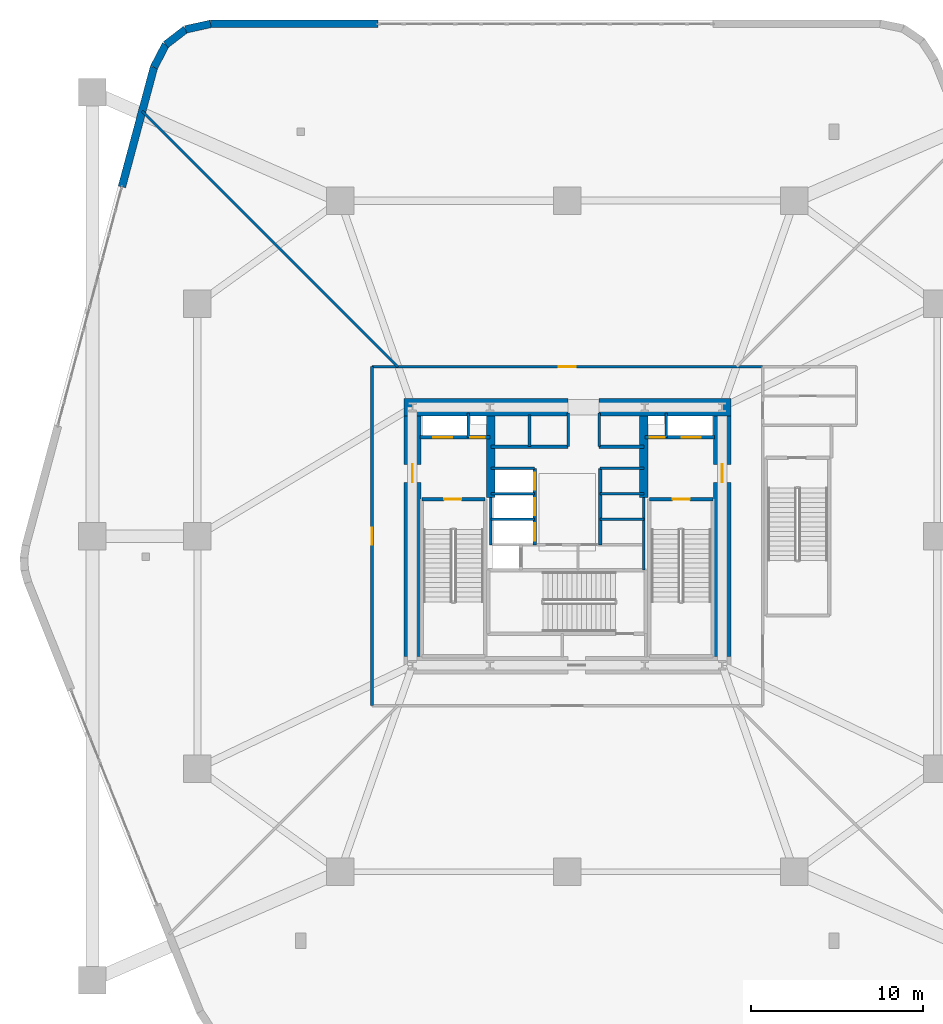
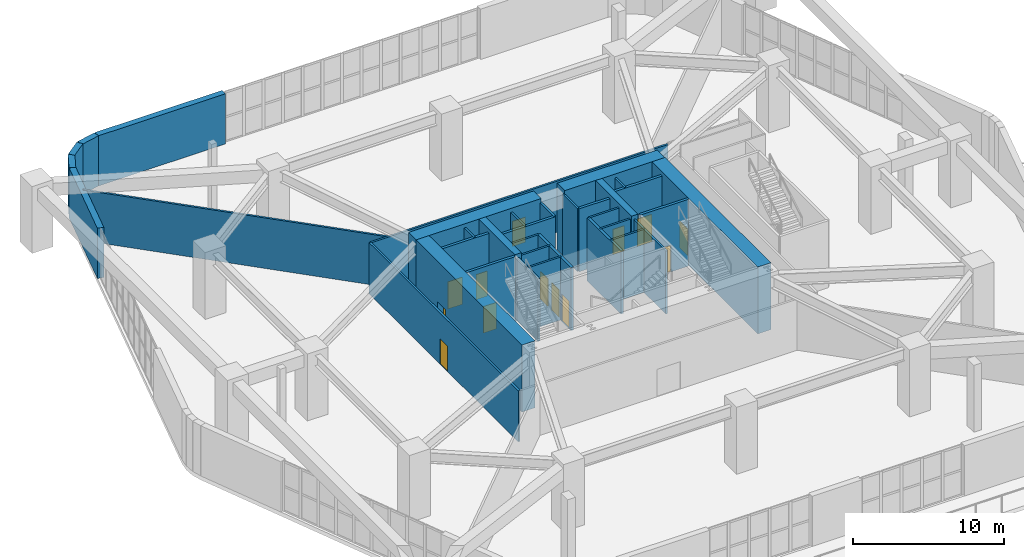
# One storey, part 28 of 34: 35 walls, 13 doors, 13 openings.
"""IFC4 building model written with IfcOpenShell, lengths in metres."""

from ifc_helpers import new_model, si_unit, direction, frame, frame_2d, origin, place, context, subcontext, project, spatial, rectangle, extrude, material, layer, layer_set, type_object, element, fill, save


model = new_model("IFC4")

# Units and contexts
model_context = context("Model", 3, precision=1e-05, world=origin(), true_north=direction((0.0, 1.0)))
body_context = subcontext(model_context, "Body", "Model", "MODEL_VIEW")
ifc_project = project(units=[si_unit("LENGTHUNIT", "METRE"), si_unit("AREAUNIT", "SQUARE_METRE"), si_unit("VOLUMEUNIT", "CUBIC_METRE"), si_unit("PLANEANGLEUNIT", "RADIAN"), si_unit("MASSUNIT", "GRAM", prefix="KILO")], contexts=[model_context])

# Site, building, storey
site_placement = place(None, origin())
site = spatial("IfcSite", under=ifc_project, at=site_placement, CompositionType="ELEMENT")
building_placement = place(site_placement, origin())
building = spatial("IfcBuilding", under=site, at=building_placement, Name="Kilnhurst Terrace Hotel", CompositionType="ELEMENT")
storey_placement = place(building_placement, frame((0.0, 0.0, 6.0)))
storey = spatial("IfcBuildingStorey", under=building, at=storey_placement, Name="L01", CompositionType="ELEMENT", Elevation=6.0)

# Walls
ifc_material_1 = material(Name="Precast concrete C40/50", Category="concrete")
ifc_layer_1 = layer(ifc_material_1, 0.449951171875, Name="Precast concrete C40/50")
ifc_layer_set_1 = layer_set([ifc_layer_1], Name="Precast concrete C40/50")
wall_type_1 = type_object("IfcWallType", Name="WL-BRK-450", PredefinedType="SOLIDWALL", material=ifc_layer_set_1)
wall_1_placement = place(storey_placement, frame((-20.73291015625, 29.77490234375, 0.0), z_axis=(0.0, 0.0, 1.0), x_axis=(-0.976314642779, -0.21635553678, 0.0)))
element("IfcWall", 1, at=wall_1_placement, inside=storey, type_object=wall_type_1, Name="L01 Rounded Corner Brick Wall C5.1", PredefinedType="SOLIDWALL", context=body_context, shape_type="SweptSolid", body=[
    extrude(rectangle(XDim=1.48388671875, YDim=0.449951171875, at=frame_2d((0.741943359375, 0.0))), origin(), (0.0, 0.0, 1.0), 4.050048828125),
])
wall_2_placement = place(storey_placement, frame((-22.181640625, 29.453857421875, 0.0), z_axis=(0.0, 0.0, 1.0), x_axis=(-0.793363842704, -0.608747741754, 0.0)))
element("IfcWall", 2, at=wall_2_placement, inside=storey, type_object=wall_type_1, Name="L01 Rounded Corner Brick Wall C5.2", PredefinedType="SOLIDWALL", context=body_context, shape_type="SweptSolid", body=[
    extrude(rectangle(XDim=1.458740234375, YDim=0.449951171875, at=frame_2d((0.7294921875, 0.0))), origin(), (0.0, 0.0, 1.0), 4.050048828125),
])
wall_3_placement = place(storey_placement, frame((-23.3388671875, 28.56591796875, 0.0), z_axis=(0.0, 0.0, 1.0), x_axis=(-0.461699810705, -0.887036236461, 0.0)))
element("IfcWall", 3, at=wall_3_placement, inside=storey, type_object=wall_type_1, Name="L01 Rounded Corner Brick Wall C5.3", PredefinedType="SOLIDWALL", context=body_context, shape_type="SweptSolid", body=[
    extrude(rectangle(XDim=1.48388671875, YDim=0.449951171875, at=frame_2d((0.741943359375, 0.0))), origin(), (0.0, 0.0, 1.0), 4.050048828125),
])
wall_4_placement = place(storey_placement, frame((-11.004150390625, 29.77490234375, 0.0), z_axis=(0.0, 0.0, 1.0), x_axis=(-1.0, 0.0, 0.0)))
element("IfcWall", 4, at=wall_4_placement, inside=storey, type_object=wall_type_1, Name="L01 Face 4 End Brick Pier", PredefinedType="SOLIDWALL", context=body_context, shape_type="SweptSolid", body=[
    extrude(rectangle(XDim=9.728759765625, YDim=0.449951171875, at=frame_2d((4.8642578125, 0.0))), origin(), (0.0, 0.0, 1.0), 4.050048828125),
])
wall_5_placement = place(storey_placement, frame((-24.02392578125, 27.249755859375, 0.0), z_axis=(0.0, 0.0, 1.0), x_axis=(-0.25880339056, -0.965930020775, 0.0)))
element("IfcWall", 5, at=wall_5_placement, inside=storey, type_object=wall_type_1, Name="L01 Face 5 Brick Pier 1", PredefinedType="SOLIDWALL", context=body_context, shape_type="SweptSolid", body=[
    extrude(rectangle(XDim=7.192138671875, YDim=0.449951171875, at=frame_2d((3.59619140625, 0.0))), origin(), (0.0, 0.0, 1.0), 4.050048828125),
])

# Wall, opening, door
ifc_material_2 = material(Name="Acoustic Double-Gypsum Corridor Partition Assembly")
ifc_layer_2 = layer(ifc_material_2, 0.14990234375, Name="Acoustic Double-Gypsum Corridor Partition Assembly")
ifc_layer_set_2 = layer_set([ifc_layer_2], Name="Acoustic Double-Gypsum Corridor Partition Assembly")
wall_type_2 = type_object("IfcWallType", Name="WL-COR-150", PredefinedType="PARTITIONING", material=ifc_layer_set_2)
wall_6_placement = place(storey_placement, frame((-11.35009765625, -9.85009765625, 0.0), z_axis=(0.0, 0.0, 1.0), x_axis=(0.0, 1.0, 0.0)))
wall_6 = element("IfcWall", 6, at=wall_6_placement, inside=storey, type_object=wall_type_2, Name="L01 Interior Wall WL-L01-COR-01", PredefinedType="PARTITIONING", context=body_context, shape_type="SweptSolid", body=[
    extrude(rectangle(XDim=19.7001953125, YDim=0.14990234375, at=frame_2d((9.85009765625, 0.0))), origin(), (0.0, 0.0, 1.0), 4.121826171875),
])
opening_1_placement = place(wall_6_placement, frame((9.35009765625, 0.0, 0.0)))
opening_1 = element("IfcOpeningElement", 7, at=opening_1_placement, cuts=wall_6, Name="Opening D-10A", PredefinedType="OPENING", context=body_context, shape_type="SweptSolid", body=[
    extrude(rectangle(XDim=1.0, YDim=2.030029296875, at=frame_2d((0.5, 1.01513671875))), frame((0.0, 0.0849609375, 0.0), z_axis=(0.0, -1.0, 0.0), x_axis=(1.0, 0.0, 0.0)), (0.0, 0.0, 1.0), 0.169921875),
])
ifc_material_3 = material(Name="Solid-Core American White Oak Interior Door")
door_type_1 = type_object("IfcDoorType", Name="DR-INT-1000", OperationType="NOTDEFINED", PredefinedType="DOOR", material=ifc_material_3)
door_1_placement = place(opening_1_placement, origin())
door_1 = element("IfcDoor", 8, at=door_1_placement, inside=storey, type_object=door_type_1, Name="L01 Private Garden Sommelier Salon Door", OperationType="SINGLE_SWING_RIGHT", OverallHeight=2.030029296875, OverallWidth=1.0, PredefinedType="DOOR", context=body_context, shape_type="SweptSolid", body=[
    extrude(rectangle(XDim=1.0, YDim=2.030029296875, at=frame_2d((0.5, 1.01513671875))), frame((0.0, 0.02490234375, 0.0), z_axis=(0.0, -1.0, 0.0), x_axis=(1.0, 0.0, 0.0)), (0.0, 0.0, 1.0), 0.050048828125),
])
fill(opening_1, door_1)

wall_7_placement = place(storey_placement, frame((-11.35009765625, 9.85009765625, 0.0), z_axis=(0.0, 0.0, 1.0), x_axis=(1.0, 0.0, 0.0)))
wall_7 = element("IfcWall", 9, at=wall_7_placement, inside=storey, type_object=wall_type_2, Name="L01 Interior Wall WL-L01-COR-02", PredefinedType="PARTITIONING", context=body_context, shape_type="SweptSolid", body=[
    extrude(rectangle(XDim=22.7001953125, YDim=0.14990234375, at=frame_2d((11.35009765625, 0.0))), origin(), (0.0, 0.0, 1.0), 4.121826171875),
])
opening_2_placement = place(wall_7_placement, frame((10.85009765625, 0.0, 0.0)))
opening_2 = element("IfcOpeningElement", 10, at=opening_2_placement, cuts=wall_7, Name="Opening D-10A", PredefinedType="OPENING", context=body_context, shape_type="SweptSolid", body=[
    extrude(rectangle(XDim=1.0, YDim=2.030029296875, at=frame_2d((0.5, 1.01513671875))), frame((0.0, 0.0849609375, 0.0), z_axis=(0.0, -1.0, 0.0), x_axis=(1.0, 0.0, 0.0)), (0.0, 0.0, 1.0), 0.169921875),
])
door_2_placement = place(opening_2_placement, origin())
door_2 = element("IfcDoor", 11, at=door_2_placement, inside=storey, type_object=door_type_1, Name="L01 Commercial Main Catering Kitchen Door", OperationType="SINGLE_SWING_LEFT", OverallHeight=2.030029296875, OverallWidth=1.0, PredefinedType="DOOR", context=body_context, shape_type="SweptSolid", body=[
    extrude(rectangle(XDim=1.0, YDim=2.030029296875, at=frame_2d((0.5, 1.01513671875))), frame((0.0, 0.02490234375, 0.0), z_axis=(0.0, -1.0, 0.0), x_axis=(1.0, 0.0, 0.0)), (0.0, 0.0, 1.0), 0.050048828125),
])
fill(opening_2, door_2)

# Walls
ifc_material_4 = material(Name="Concrete C80/95", Category="concrete")
ifc_layer_3 = layer(ifc_material_4, 1.0, Name="Concrete C80/95")
ifc_layer_set_3 = layer_set([ifc_layer_3], Name="Concrete C80/95")
wall_type_3 = type_object("IfcWallType", Name="WL-CORE-1000", PredefinedType="SHEAR", material=ifc_layer_set_3)
wall_8_placement = place(storey_placement, frame((-9.5, 7.5, 0.0), z_axis=(0.0, 0.0, 1.0), x_axis=(1.0, 0.0, 0.0)))
element("IfcWall", 12, at=wall_8_placement, inside=storey, type_object=wall_type_3, Name="L01 Core North West Shear Wall", PredefinedType="SHEAR", context=body_context, shape_type="SweptSolid", body=[
    extrude(rectangle(XDim=9.550048828125, YDim=1.0, at=frame_2d((4.77490234375, 0.0))), origin(), (0.0, 0.0, 1.0), 5.39990234375),
])
wall_9_placement = place(storey_placement, frame((1.85009765625, 7.5, 0.0), z_axis=(0.0, 0.0, 1.0), x_axis=(1.0, 0.0, 0.0)))
element("IfcWall", 13, at=wall_9_placement, inside=storey, type_object=wall_type_3, Name="L01 Core North East Shear Wall", PredefinedType="SHEAR", context=body_context, shape_type="SweptSolid", body=[
    extrude(rectangle(XDim=7.64990234375, YDim=1.0, at=frame_2d((3.824951171875, 0.0))), origin(), (0.0, 0.0, 1.0), 5.39990234375),
])

# Wall, opening, door
wall_10_placement = place(storey_placement, frame((-9.0, -7.0, 0.0), z_axis=(0.0, 0.0, 1.0), x_axis=(0.0, 1.0, 0.0)))
wall_10 = element("IfcWall", 14, at=wall_10_placement, inside=storey, type_object=wall_type_3, Name="L01 Core West Shear Wall", PredefinedType="SHEAR", context=body_context, shape_type="SweptSolid", body=[
    extrude(rectangle(XDim=14.0, YDim=1.0, at=frame_2d((7.0, 0.0))), origin(), (0.0, 0.0, 1.0), 5.39990234375),
])
opening_3_placement = place(wall_10_placement, frame((10.125, 0.0, 0.0)))
opening_3 = element("IfcOpeningElement", 15, at=opening_3_placement, cuts=wall_10, Name="Opening D-90A", PredefinedType="OPENING", context=body_context, shape_type="SweptSolid", body=[
    extrude(rectangle(XDim=1.050048828125, YDim=2.14990234375, at=frame_2d((0.52490234375, 1.074951171875))), frame((0.0, 0.510009765625, 0.0), z_axis=(0.0, -1.0, 0.0), x_axis=(1.0, 0.0, 0.0)), (0.0, 0.0, 1.0), 1.02001953125),
])
ifc_material_5 = material(Name="Painted Hollow Metal Steel ASTM A36 Fire Door", Category="steel")
door_type_2 = type_object("IfcDoorType", Name="DR-FD90-1050", OperationType="NOTDEFINED", PredefinedType="DOOR", material=ifc_material_5)
door_3_placement = place(opening_3_placement, origin())
door_3 = element("IfcDoor", 16, at=door_3_placement, inside=storey, type_object=door_type_2, Name="L01 West Firefighting Lobby Door", OperationType="SINGLE_SWING_RIGHT", OverallHeight=2.14990234375, OverallWidth=1.050048828125, PredefinedType="DOOR", context=body_context, shape_type="SweptSolid", body=[
    extrude(rectangle(XDim=1.050048828125, YDim=2.14990234375, at=frame_2d((0.52490234375, 1.074951171875))), frame((0.0, 0.02490234375, 0.0), z_axis=(0.0, -1.0, 0.0), x_axis=(1.0, 0.0, 0.0)), (0.0, 0.0, 1.0), 0.050048828125),
])
fill(opening_3, door_3)

wall_11_placement = place(storey_placement, frame((9.0, -7.0, 0.0), z_axis=(0.0, 0.0, 1.0), x_axis=(0.0, 1.0, 0.0)))
wall_11 = element("IfcWall", 17, at=wall_11_placement, inside=storey, type_object=wall_type_3, Name="L01 Core East Shear Wall", PredefinedType="SHEAR", context=body_context, shape_type="SweptSolid", body=[
    extrude(rectangle(XDim=14.0, YDim=1.0, at=frame_2d((7.0, 0.0))), origin(), (0.0, 0.0, 1.0), 5.39990234375),
])
opening_4_placement = place(wall_11_placement, frame((10.125, 0.0, 0.0)))
opening_4 = element("IfcOpeningElement", 18, at=opening_4_placement, cuts=wall_11, Name="Opening D-90A", PredefinedType="OPENING", context=body_context, shape_type="SweptSolid", body=[
    extrude(rectangle(XDim=1.050048828125, YDim=2.14990234375, at=frame_2d((0.52490234375, 1.074951171875))), frame((0.0, 0.510009765625, 0.0), z_axis=(0.0, -1.0, 0.0), x_axis=(1.0, 0.0, 0.0)), (0.0, 0.0, 1.0), 1.02001953125),
])
door_4_placement = place(opening_4_placement, origin())
door_4 = element("IfcDoor", 19, at=door_4_placement, inside=storey, type_object=door_type_2, Name="L01 East Firefighting Lobby Door", OperationType="SINGLE_SWING_LEFT", OverallHeight=2.14990234375, OverallWidth=1.050048828125, PredefinedType="DOOR", context=body_context, shape_type="SweptSolid", body=[
    extrude(rectangle(XDim=1.050048828125, YDim=2.14990234375, at=frame_2d((0.52490234375, 1.074951171875))), frame((0.0, 0.02490234375, 0.0), z_axis=(0.0, -1.0, 0.0), x_axis=(1.0, 0.0, 0.0)), (0.0, 0.0, 1.0), 0.050048828125),
])
fill(opening_4, door_4)

# Walls
ifc_material_6 = material(Name="Concrete C60/75", Category="concrete")
ifc_layer_4 = layer(ifc_material_6, 0.5, Name="Concrete C60/75")
ifc_layer_set_4 = layer_set([ifc_layer_4], Name="Concrete C60/75")
wall_type_4 = type_object("IfcWallType", Name="WL-CORE-WEB-500", PredefinedType="SHEAR", material=ifc_layer_set_4)
for number, where, z_axis, x_axis, name in (
    (20, (-4.449951171875, 2.25, 0.0), (0.0, 0.0, 1.0), (0.0, 1.0, 0.0), "L01 Core Internal West Shear Web"),
    (21, (4.449951171875, 2.25, 0.0), (0.0, 0.0, 1.0), (0.0, 1.0, 0.0), "L01 Core Internal East Shear Web"),
):
    element("IfcWall", number, at=place(storey_placement, frame(where, z_axis=z_axis, x_axis=x_axis)), inside=storey, type_object=wall_type_4, Name=name, PredefinedType="SHEAR", context=body_context, shape_type="SweptSolid", body=[
        extrude(rectangle(XDim=4.75, YDim=0.5, at=frame_2d((2.375, 0.0))), origin(), (0.0, 0.0, 1.0), 5.39990234375),
    ])
ifc_material_7 = material(Name="150 mm Acoustic Gypsum Hospitality Partition")
ifc_layer_5 = layer(ifc_material_7, 0.14990234375, Name="150 mm Acoustic Gypsum Hospitality Partition")
ifc_layer_set_5 = layer_set([ifc_layer_5], Name="150 mm Acoustic Gypsum Hospitality Partition")
wall_type_5 = type_object("IfcWallType", Name="WL-PART-150", PredefinedType="PARTITIONING", material=ifc_layer_set_5)
wall_12_placement = place(storey_placement, frame((-9.85009765625, 9.85009765625, 0.0), z_axis=(0.0, 0.0, 1.0), x_axis=(-0.707106781187, 0.707106781187, 0.0)))
element("IfcWall", 22, at=wall_12_placement, inside=storey, type_object=wall_type_5, Name="L01 Interior Wall WL-L01-PDIV-4-1", PredefinedType="PARTITIONING", context=body_context, shape_type="SweptSolid", body=[
    extrude(rectangle(XDim=21.0087890625, YDim=0.14990234375, at=frame_2d((10.50439453125, 0.0))), origin(), (0.0, 0.0, 1.0), 4.070068359375),
])
ifc_material_8 = material(Name="Fire-Rated Gypsum Shaftliner Assembly")
ifc_layer_6 = layer(ifc_material_8, 0.14990234375, Name="Fire-Rated Gypsum Shaftliner Assembly")
ifc_layer_set_6 = layer_set([ifc_layer_6], Name="Fire-Rated Gypsum Shaftliner Assembly")
wall_type_6 = type_object("IfcWallType", Name="WL-SHAFT-150", PredefinedType="PARTITIONING", material=ifc_layer_set_6)
for number, where, z_axis, x_axis, name in (
    (23, (-5.75, 5.739990234375, 0.0), (0.0, 0.0, 1.0), (0.0, 1.0, 0.0), "L01 Interior Wall WL-L01-RIS1-DIV"),
    (24, (5.75, 5.739990234375, 0.0), (0.0, 0.0, 1.0), (0.0, 1.0, 0.0), "L01 Interior Wall WL-L01-RIS2-DIV"),
):
    element("IfcWall", number, at=place(storey_placement, frame(where, z_axis=z_axis, x_axis=x_axis)), inside=storey, type_object=wall_type_6, Name=name, PredefinedType="PARTITIONING", context=body_context, shape_type="SweptSolid", body=[
        extrude(rectangle(XDim=1.409912109375, YDim=0.14990234375, at=frame_2d((0.705078125, 0.0))), origin(), (0.0, 0.0, 1.0), 5.080078125),
    ])
wall_13_placement = place(storey_placement, frame((-2.199951171875, 5.199951171875, 0.0), z_axis=(0.0, 0.0, 1.0), x_axis=(0.0, 1.0, 0.0)))
element("IfcWall", 25, at=wall_13_placement, inside=storey, type_object=wall_type_6, Name="L01 Interior Wall WL-L01-HR-DIV1", PredefinedType="PARTITIONING", context=body_context, shape_type="SweptSolid", body=[
    extrude(rectangle(XDim=1.85009765625, YDim=0.14990234375, at=frame_2d((0.925048828125, 0.0))), origin(), (0.0, 0.0, 1.0), 5.080078125),
])
for number, where, z_axis, x_axis, name in (
    (26, (0.050048828125, 5.199951171875, 0.0), (0.0, 0.0, 1.0), (0.0, 1.0, 0.0), "L01 Interior Wall WL-L01-HR-PORTAL-W"),
    (27, (1.85009765625, 5.199951171875, 0.0), (0.0, 0.0, 1.0), (0.0, 1.0, 0.0), "L01 Interior Wall WL-L01-HR-PORTAL-E"),
):
    element("IfcWall", number, at=place(storey_placement, frame(where, z_axis=z_axis, x_axis=x_axis)), inside=storey, type_object=wall_type_6, Name=name, PredefinedType="PARTITIONING", context=body_context, shape_type="SweptSolid", body=[
        extrude(rectangle(XDim=1.949951171875, YDim=0.14990234375, at=frame_2d((0.97509765625, 0.0))), origin(), (0.0, 0.0, 1.0), 5.080078125),
    ])
wall_14_placement = place(storey_placement, frame((-4.449951171875, -0.5, 0.0), z_axis=(0.0, 0.0, 1.0), x_axis=(0.0, 1.0, 0.0)))
element("IfcWall", 28, at=wall_14_placement, inside=storey, type_object=wall_type_6, Name="L01 Interior Wall WL-L01-XLOB-W", PredefinedType="PARTITIONING", context=body_context, shape_type="SweptSolid", body=[
    extrude(rectangle(XDim=2.75, YDim=0.14990234375, at=frame_2d((1.375, 0.0))), origin(), (0.0, 0.0, 1.0), 5.080078125),
])
wall_15_placement = place(storey_placement, frame((4.449951171875, -1.971923828125, 0.0), z_axis=(0.0, 0.0, 1.0), x_axis=(0.0, 1.0, 0.0)))
element("IfcWall", 29, at=wall_15_placement, inside=storey, type_object=wall_type_6, Name="L01 Interior Wall WL-L01-XLOB-E", PredefinedType="PARTITIONING", context=body_context, shape_type="SweptSolid", body=[
    extrude(rectangle(XDim=4.221923828125, YDim=0.14990234375, at=frame_2d((2.11083984375, 0.0))), origin(), (0.0, 0.0, 1.0), 5.080078125),
])
for number, where, z_axis, x_axis, name in (
    (30, (-4.449951171875, 3.93994140625, 0.0), (0.0, 0.0, 1.0), (1.0, 0.0, 0.0), "L01 Interior Wall WL-L01-LR-NORTH"),
    (31, (-4.449951171875, 0.97998046875, 0.0), (0.0, 0.0, 1.0), (1.0, 0.0, 0.0), "L01 Interior Wall WL-L01-LR-D1"),
    (32, (-4.449951171875, 2.4599609375, 0.0), (0.0, 0.0, 1.0), (1.0, 0.0, 0.0), "L01 Interior Wall WL-L01-LR-D2"),
    (33, (1.89990234375, 3.93994140625, 0.0), (0.0, 0.0, 1.0), (1.0, 0.0, 0.0), "L01 Interior Wall WL-L01-MR-NORTH"),
    (34, (1.89990234375, 0.97998046875, 0.0), (0.0, 0.0, 1.0), (1.0, 0.0, 0.0), "L01 Interior Wall WL-L01-MR-D1"),
    (35, (1.89990234375, 2.4599609375, 0.0), (0.0, 0.0, 1.0), (1.0, 0.0, 0.0), "L01 Interior Wall WL-L01-MR-D2"),
):
    element("IfcWall", number, at=place(storey_placement, frame(where, z_axis=z_axis, x_axis=x_axis)), inside=storey, type_object=wall_type_6, Name=name, PredefinedType="PARTITIONING", context=body_context, shape_type="SweptSolid", body=[
        extrude(rectangle(XDim=2.550048828125, YDim=0.14990234375, at=frame_2d((1.27490234375, 0.0))), origin(), (0.0, 0.0, 1.0), 5.080078125),
    ])

# Wall, openings, doors
ifc_material_9 = material(Name="Autoclaved Aerated Concrete C30/37 and Gypsum Shaft Assembly", Category="concrete")
ifc_layer_7 = layer(ifc_material_9, 0.199951171875, Name="Autoclaved Aerated Concrete C30/37 and Gypsum Shaft Assembly")
ifc_layer_set_7 = layer_set([ifc_layer_7], Name="Autoclaved Aerated Concrete C30/37 and Gypsum Shaft Assembly")
wall_type_7 = type_object("IfcWallType", Name="WL-SHAFT-200", PredefinedType="PARTITIONING", material=ifc_layer_set_7)
wall_16_placement = place(storey_placement, frame((-8.550048828125, 5.739990234375, 0.0), z_axis=(0.0, 0.0, 1.0), x_axis=(1.0, 0.0, 0.0)))
wall_16 = element("IfcWall", 36, at=wall_16_placement, inside=storey, type_object=wall_type_7, Name="L01 Interior Wall WL-L01-FSAE1-S", PredefinedType="PARTITIONING", context=body_context, shape_type="SweptSolid", body=[
    extrude(rectangle(XDim=4.050048828125, YDim=0.199951171875, at=frame_2d((2.02490234375, 0.0))), origin(), (0.0, 0.0, 1.0), 5.080078125),
])
opening_5_placement = place(wall_16_placement, frame((0.75, 0.0, 0.0)))
opening_5 = element("IfcOpeningElement", 37, at=opening_5_placement, cuts=wall_16, Name="Opening LD-F1", PredefinedType="OPENING", context=body_context, shape_type="SweptSolid", body=[
    extrude(rectangle(XDim=1.10009765625, YDim=2.199951171875, at=frame_2d((0.550048828125, 1.10009765625))), frame((0.0, 0.10986328125, 0.0), z_axis=(0.0, -1.0, 0.0), x_axis=(1.0, 0.0, 0.0)), (0.0, 0.0, 1.0), 0.219970703125),
])
opening_6_placement = place(wall_16_placement, frame((2.89990234375, 0.0, 0.0)))
opening_6 = element("IfcOpeningElement", 38, at=opening_6_placement, cuts=wall_16, Name="Opening D-60D", PredefinedType="OPENING", context=body_context, shape_type="SweptSolid", body=[
    extrude(rectangle(XDim=0.85009765625, YDim=2.030029296875, at=frame_2d((0.425048828125, 1.01513671875))), frame((0.0, 0.10986328125, 0.0), z_axis=(0.0, -1.0, 0.0), x_axis=(1.0, 0.0, 0.0)), (0.0, 0.0, 1.0), 0.219970703125),
])
ifc_material_10 = material(Name="Painted Hollow Metal Steel ASTM A36 Riser Door", Category="steel")
door_type_3 = type_object("IfcDoorType", Name="DR-FD60-850", OperationType="NOTDEFINED", PredefinedType="DOOR", material=ifc_material_10)
door_5_placement = place(opening_6_placement, origin())
door_5 = element("IfcDoor", 39, at=door_5_placement, inside=storey, type_object=door_type_3, Name="L01 Electrical Riser Door", OperationType="SINGLE_SWING_LEFT", OverallHeight=2.030029296875, OverallWidth=0.85009765625, PredefinedType="DOOR", context=body_context, shape_type="SweptSolid", body=[
    extrude(rectangle(XDim=0.85009765625, YDim=2.030029296875, at=frame_2d((0.425048828125, 1.01513671875))), frame((0.0, 0.02490234375, 0.0), z_axis=(0.0, -1.0, 0.0), x_axis=(1.0, 0.0, 0.0)), (0.0, 0.0, 1.0), 0.050048828125),
])
fill(opening_6, door_5)
ifc_material_11 = material(Name="Bronze-Anodized Stainless Steel AISI 316L Sliding Door", Category="steel")
door_type_4 = type_object("IfcDoorType", Name="DR-LIFT-1100", OperationType="NOTDEFINED", PredefinedType="DOOR", material=ifc_material_11)
door_6_placement = place(opening_5_placement, origin())
door_6 = element("IfcDoor", 40, at=door_6_placement, inside=storey, type_object=door_type_4, Name="L01 FSAE-1 Landing Door", OperationType="SLIDING_TO_LEFT", OverallHeight=2.199951171875, OverallWidth=1.10009765625, PredefinedType="DOOR", context=body_context, shape_type="SweptSolid", body=[
    extrude(rectangle(XDim=1.10009765625, YDim=2.199951171875, at=frame_2d((0.550048828125, 1.10009765625))), frame((0.0, 0.02490234375, 0.0), z_axis=(0.0, -1.0, 0.0), x_axis=(1.0, 0.0, 0.0)), (0.0, 0.0, 1.0), 0.050048828125),
])
fill(opening_5, door_6)

wall_17_placement = place(storey_placement, frame((4.5, 5.739990234375, 0.0), z_axis=(0.0, 0.0, 1.0), x_axis=(1.0, 0.0, 0.0)))
wall_17 = element("IfcWall", 41, at=wall_17_placement, inside=storey, type_object=wall_type_7, Name="L01 Interior Wall WL-L01-FSAE2-S", PredefinedType="PARTITIONING", context=body_context, shape_type="SweptSolid", body=[
    extrude(rectangle(XDim=4.050048828125, YDim=0.199951171875, at=frame_2d((2.02490234375, 0.0))), origin(), (0.0, 0.0, 1.0), 5.080078125),
])
opening_7_placement = place(wall_17_placement, frame((0.300048828125, 0.0, 0.0)))
opening_7 = element("IfcOpeningElement", 42, at=opening_7_placement, cuts=wall_17, Name="Opening D-60D", PredefinedType="OPENING", context=body_context, shape_type="SweptSolid", body=[
    extrude(rectangle(XDim=0.85009765625, YDim=2.030029296875, at=frame_2d((0.425048828125, 1.01513671875))), frame((0.0, 0.10986328125, 0.0), z_axis=(0.0, -1.0, 0.0), x_axis=(1.0, 0.0, 0.0)), (0.0, 0.0, 1.0), 0.219970703125),
])
opening_8_placement = place(wall_17_placement, frame((2.14990234375, 0.0, 0.0)))
opening_8 = element("IfcOpeningElement", 43, at=opening_8_placement, cuts=wall_17, Name="Opening LD-F2", PredefinedType="OPENING", context=body_context, shape_type="SweptSolid", body=[
    extrude(rectangle(XDim=1.10009765625, YDim=2.199951171875, at=frame_2d((0.550048828125, 1.10009765625))), frame((0.0, 0.10986328125, 0.0), z_axis=(0.0, -1.0, 0.0), x_axis=(1.0, 0.0, 0.0)), (0.0, 0.0, 1.0), 0.219970703125),
])
door_7_placement = place(opening_7_placement, origin())
door_7 = element("IfcDoor", 44, at=door_7_placement, inside=storey, type_object=door_type_3, Name="L01 Telecom Riser Door", OperationType="SINGLE_SWING_RIGHT", OverallHeight=2.030029296875, OverallWidth=0.85009765625, PredefinedType="DOOR", context=body_context, shape_type="SweptSolid", body=[
    extrude(rectangle(XDim=0.85009765625, YDim=2.030029296875, at=frame_2d((0.425048828125, 1.01513671875))), frame((0.0, 0.02490234375, 0.0), z_axis=(0.0, -1.0, 0.0), x_axis=(1.0, 0.0, 0.0)), (0.0, 0.0, 1.0), 0.050048828125),
])
fill(opening_7, door_7)
door_8_placement = place(opening_8_placement, origin())
door_8 = element("IfcDoor", 45, at=door_8_placement, inside=storey, type_object=door_type_4, Name="L01 FSAE-2 Landing Door", OperationType="SLIDING_TO_RIGHT", OverallHeight=2.199951171875, OverallWidth=1.10009765625, PredefinedType="DOOR", context=body_context, shape_type="SweptSolid", body=[
    extrude(rectangle(XDim=1.10009765625, YDim=2.199951171875, at=frame_2d((0.550048828125, 1.10009765625))), frame((0.0, 0.02490234375, 0.0), z_axis=(0.0, -1.0, 0.0), x_axis=(1.0, 0.0, 0.0)), (0.0, 0.0, 1.0), 0.050048828125),
])
fill(opening_8, door_8)

# Walls
wall_18_placement = place(storey_placement, frame((-4.449951171875, 5.199951171875, 0.0), z_axis=(0.0, 0.0, 1.0), x_axis=(1.0, 0.0, 0.0)))
element("IfcWall", 46, at=wall_18_placement, inside=storey, type_object=wall_type_7, Name="L01 Interior Wall WL-L01-HR-SW", PredefinedType="PARTITIONING", context=body_context, shape_type="SweptSolid", body=[
    extrude(rectangle(XDim=4.5, YDim=0.199951171875, at=frame_2d((2.25, 0.0))), origin(), (0.0, 0.0, 1.0), 5.080078125),
])
wall_19_placement = place(storey_placement, frame((1.85009765625, 5.199951171875, 0.0), z_axis=(0.0, 0.0, 1.0), x_axis=(1.0, 0.0, 0.0)))
element("IfcWall", 47, at=wall_19_placement, inside=storey, type_object=wall_type_7, Name="L01 Interior Wall WL-L01-HR-SE", PredefinedType="PARTITIONING", context=body_context, shape_type="SweptSolid", body=[
    extrude(rectangle(XDim=2.599853515625, YDim=0.199951171875, at=frame_2d((1.2998046875, 0.0))), origin(), (0.0, 0.0, 1.0), 5.080078125),
])

# Wall, openings, doors
wall_20_placement = place(storey_placement, frame((-1.89990234375, -0.5, 0.0), z_axis=(0.0, 0.0, 1.0), x_axis=(0.0, 1.0, 0.0)))
wall_20 = element("IfcWall", 48, at=wall_20_placement, inside=storey, type_object=wall_type_7, Name="L01 Interior Wall WL-L01-LR-FRONT", PredefinedType="PARTITIONING", context=body_context, shape_type="SweptSolid", body=[
    extrude(rectangle(XDim=4.43994140625, YDim=0.199951171875, at=frame_2d((2.219970703125, 0.0))), origin(), (0.0, 0.0, 1.0), 5.080078125),
])
opening_9_placement = place(wall_20_placement, frame((0.239990234375, 0.0, 0.0)))
opening_9 = element("IfcOpeningElement", 49, at=opening_9_placement, cuts=wall_20, Name="Opening LD-LR", PredefinedType="OPENING", context=body_context, shape_type="SweptSolid", body=[
    extrude(rectangle(XDim=1.0, YDim=2.199951171875, at=frame_2d((0.5, 1.10009765625))), frame((0.0, 0.10986328125, 0.0), z_axis=(0.0, -1.0, 0.0), x_axis=(1.0, 0.0, 0.0)), (0.0, 0.0, 1.0), 0.219970703125),
])
opening_10_placement = place(wall_20_placement, frame((1.719970703125, 0.0, 0.0)))
opening_10 = element("IfcOpeningElement", 50, at=opening_10_placement, cuts=wall_20, Name="Opening LD-LR", PredefinedType="OPENING", context=body_context, shape_type="SweptSolid", body=[
    extrude(rectangle(XDim=1.0, YDim=2.199951171875, at=frame_2d((0.5, 1.10009765625))), frame((0.0, 0.10986328125, 0.0), z_axis=(0.0, -1.0, 0.0), x_axis=(1.0, 0.0, 0.0)), (0.0, 0.0, 1.0), 0.219970703125),
])
opening_11_placement = place(wall_20_placement, frame((3.199951171875, 0.0, 0.0)))
opening_11 = element("IfcOpeningElement", 51, at=opening_11_placement, cuts=wall_20, Name="Opening LD-LR", PredefinedType="OPENING", context=body_context, shape_type="SweptSolid", body=[
    extrude(rectangle(XDim=1.0, YDim=2.199951171875, at=frame_2d((0.5, 1.10009765625))), frame((0.0, 0.10986328125, 0.0), z_axis=(0.0, -1.0, 0.0), x_axis=(1.0, 0.0, 0.0)), (0.0, 0.0, 1.0), 0.219970703125),
])
door_type_5 = type_object("IfcDoorType", Name="DR-LIFT-1000", OperationType="NOTDEFINED", PredefinedType="DOOR", material=ifc_material_11)
door_9_placement = place(opening_9_placement, origin())
door_9 = element("IfcDoor", 52, at=door_9_placement, inside=storey, type_object=door_type_5, Name="L01 Low Rise Lift LR-1 Landing Door", OperationType="SLIDING_TO_LEFT", OverallHeight=2.199951171875, OverallWidth=1.0, PredefinedType="DOOR", context=body_context, shape_type="SweptSolid", body=[
    extrude(rectangle(XDim=1.0, YDim=2.199951171875, at=frame_2d((0.5, 1.10009765625))), frame((0.0, 0.02490234375, 0.0), z_axis=(0.0, -1.0, 0.0), x_axis=(1.0, 0.0, 0.0)), (0.0, 0.0, 1.0), 0.050048828125),
])
fill(opening_9, door_9)
door_10_placement = place(opening_10_placement, origin())
door_10 = element("IfcDoor", 53, at=door_10_placement, inside=storey, type_object=door_type_5, Name="L01 Low Rise Lift LR-2 Landing Door", OperationType="SLIDING_TO_LEFT", OverallHeight=2.199951171875, OverallWidth=1.0, PredefinedType="DOOR", context=body_context, shape_type="SweptSolid", body=[
    extrude(rectangle(XDim=1.0, YDim=2.199951171875, at=frame_2d((0.5, 1.10009765625))), frame((0.0, 0.02490234375, 0.0), z_axis=(0.0, -1.0, 0.0), x_axis=(1.0, 0.0, 0.0)), (0.0, 0.0, 1.0), 0.050048828125),
])
fill(opening_10, door_10)
door_11_placement = place(opening_11_placement, origin())
door_11 = element("IfcDoor", 54, at=door_11_placement, inside=storey, type_object=door_type_5, Name="L01 Low Rise Lift LR-3 Landing Door", OperationType="SLIDING_TO_LEFT", OverallHeight=2.199951171875, OverallWidth=1.0, PredefinedType="DOOR", context=body_context, shape_type="SweptSolid", body=[
    extrude(rectangle(XDim=1.0, YDim=2.199951171875, at=frame_2d((0.5, 1.10009765625))), frame((0.0, 0.02490234375, 0.0), z_axis=(0.0, -1.0, 0.0), x_axis=(1.0, 0.0, 0.0)), (0.0, 0.0, 1.0), 0.050048828125),
])
fill(opening_11, door_11)

# Wall
wall_21_placement = place(storey_placement, frame((1.89990234375, -0.5, 0.0), z_axis=(0.0, 0.0, 1.0), x_axis=(0.0, 1.0, 0.0)))
element("IfcWall", 55, at=wall_21_placement, inside=storey, type_object=wall_type_7, Name="L01 Interior Wall WL-L01-MR-FRONT", PredefinedType="PARTITIONING", context=body_context, shape_type="SweptSolid", body=[
    extrude(rectangle(XDim=4.43994140625, YDim=0.199951171875, at=frame_2d((2.219970703125, 0.0))), origin(), (0.0, 0.0, 1.0), 5.080078125),
])

# Wall, opening, door
ifc_material_12 = material(Name="Concrete C50/60", Category="concrete")
ifc_layer_8 = layer(ifc_material_12, 0.199951171875, Name="Concrete C50/60")
ifc_layer_set_8 = layer_set([ifc_layer_8], Name="Concrete C50/60")
wall_type_8 = type_object("IfcWallType", Name="WL-STAIR-RC-200", PredefinedType="SHEAR", material=ifc_layer_set_8)
wall_22_placement = place(storey_placement, frame((-8.4580078125, 2.157958984375, 0.0), z_axis=(0.0, 0.0, 1.0), x_axis=(1.0, 0.0, 0.0)))
wall_22 = element("IfcWall", 56, at=wall_22_placement, inside=storey, type_object=wall_type_8, Name="L01 Structural Stair Shaft Wall WL-L01-ST1-N", PredefinedType="SHEAR", context=body_context, shape_type="SweptSolid", body=[
    extrude(rectangle(XDim=3.68603515625, YDim=0.199951171875, at=frame_2d((1.843017578125, 0.0))), origin(), (0.0, 0.0, 1.0), 5.39990234375),
])
opening_12_placement = place(wall_22_placement, frame((1.300048828125, 0.0, 0.0)))
opening_12 = element("IfcOpeningElement", 57, at=opening_12_placement, cuts=wall_22, Name="Opening D-90B", PredefinedType="OPENING", context=body_context, shape_type="SweptSolid", body=[
    extrude(rectangle(XDim=1.0, YDim=2.14990234375, at=frame_2d((0.5, 1.074951171875))), frame((0.0, 0.10986328125, 0.0), z_axis=(0.0, -1.0, 0.0), x_axis=(1.0, 0.0, 0.0)), (0.0, 0.0, 1.0), 0.219970703125),
])
door_type_6 = type_object("IfcDoorType", Name="DR-FD90-1000", OperationType="NOTDEFINED", PredefinedType="DOOR", material=ifc_material_5)
door_12_placement = place(opening_12_placement, origin())
door_12 = element("IfcDoor", 58, at=door_12_placement, inside=storey, type_object=door_type_6, Name="L01 Stair ST-1 Door", OperationType="SINGLE_SWING_LEFT", OverallHeight=2.14990234375, OverallWidth=1.0, PredefinedType="DOOR", context=body_context, shape_type="SweptSolid", body=[
    extrude(rectangle(XDim=1.0, YDim=2.14990234375, at=frame_2d((0.5, 1.074951171875))), frame((0.0, 0.02490234375, 0.0), z_axis=(0.0, -1.0, 0.0), x_axis=(1.0, 0.0, 0.0)), (0.0, 0.0, 1.0), 0.050048828125),
])
fill(opening_12, door_12)

wall_23_placement = place(storey_placement, frame((4.77197265625, 2.157958984375, 0.0), z_axis=(0.0, 0.0, 1.0), x_axis=(1.0, 0.0, 0.0)))
wall_23 = element("IfcWall", 59, at=wall_23_placement, inside=storey, type_object=wall_type_8, Name="L01 Structural Stair Shaft Wall WL-L01-ST2-N", PredefinedType="SHEAR", context=body_context, shape_type="SweptSolid", body=[
    extrude(rectangle(XDim=3.68603515625, YDim=0.199951171875, at=frame_2d((1.843017578125, 0.0))), origin(), (0.0, 0.0, 1.0), 5.39990234375),
])
opening_13_placement = place(wall_23_placement, frame((1.35009765625, 0.0, 0.0)))
opening_13 = element("IfcOpeningElement", 60, at=opening_13_placement, cuts=wall_23, Name="Opening D-90B", PredefinedType="OPENING", context=body_context, shape_type="SweptSolid", body=[
    extrude(rectangle(XDim=1.0, YDim=2.14990234375, at=frame_2d((0.5, 1.074951171875))), frame((0.0, 0.10986328125, 0.0), z_axis=(0.0, -1.0, 0.0), x_axis=(1.0, 0.0, 0.0)), (0.0, 0.0, 1.0), 0.219970703125),
])
door_13_placement = place(opening_13_placement, origin())
door_13 = element("IfcDoor", 61, at=door_13_placement, inside=storey, type_object=door_type_6, Name="L01 Stair ST-2 Door", OperationType="SINGLE_SWING_RIGHT", OverallHeight=2.14990234375, OverallWidth=1.0, PredefinedType="DOOR", context=body_context, shape_type="SweptSolid", body=[
    extrude(rectangle(XDim=1.0, YDim=2.14990234375, at=frame_2d((0.5, 1.074951171875))), frame((0.0, 0.02490234375, 0.0), z_axis=(0.0, -1.0, 0.0), x_axis=(1.0, 0.0, 0.0)), (0.0, 0.0, 1.0), 0.050048828125),
])
fill(opening_13, door_13)

save(model, "model.ifc")
